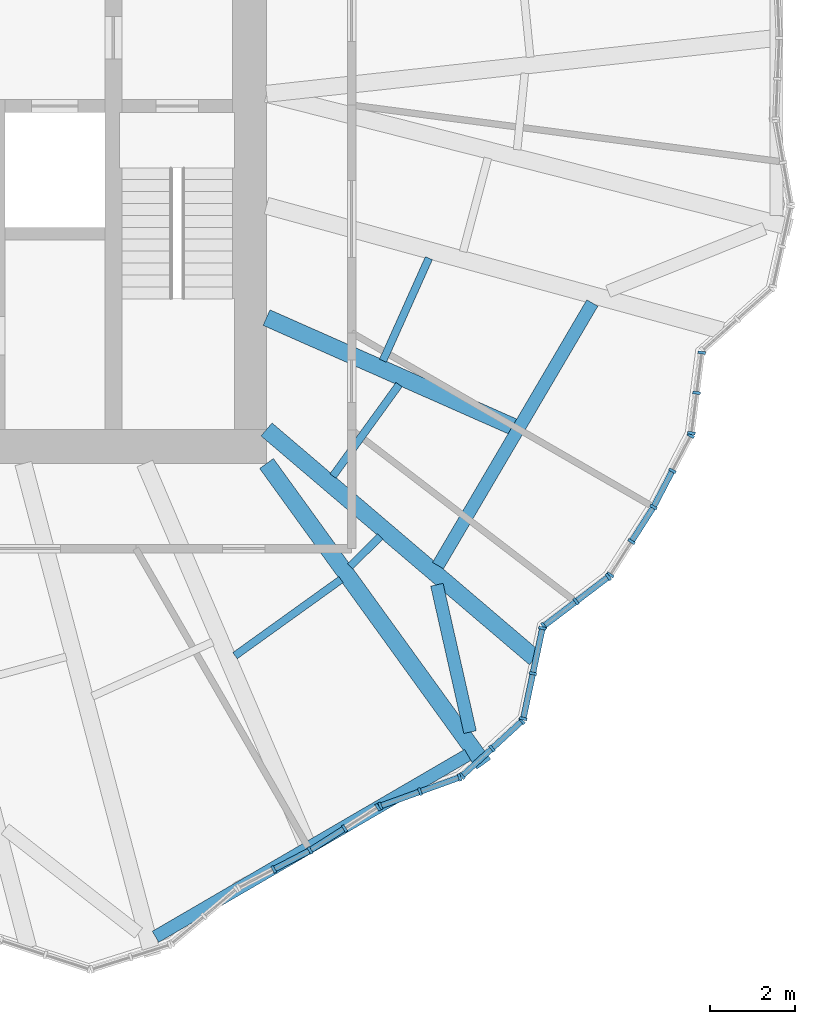
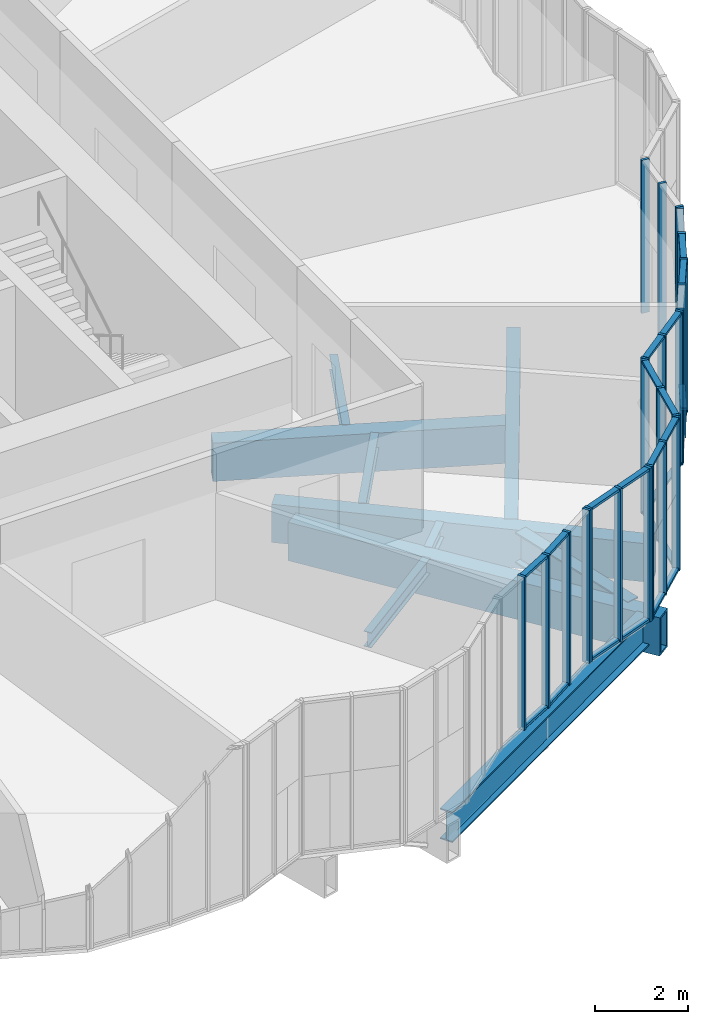
# One storey, part 5 of 23: 48 members, 10 beams, 9 elements without a shape of their own.
"""IFC4 building model written with IfcOpenShell, lengths in metres."""

from ifc_helpers import new_model, si_unit, direction, frame, origin, origin_2d, place, context, subcontext, project, spatial, rectangle, hollow_rectangle, i_section, extrude, material, material_profile, profile_set, type_object, element, aggregate, save


model = new_model("IFC4")

# Units and contexts
model_context = context("Model", 3, precision=1e-05, world=origin(), true_north=direction((0.0, 1.0)))
body_context = subcontext(model_context, "Body", "Model", "MODEL_VIEW")
ifc_project = project(units=[si_unit("LENGTHUNIT", "METRE"), si_unit("AREAUNIT", "SQUARE_METRE"), si_unit("VOLUMEUNIT", "CUBIC_METRE"), si_unit("PLANEANGLEUNIT", "RADIAN"), si_unit("MASSUNIT", "GRAM", prefix="KILO")], contexts=[model_context])

# Site, building, storey
site_placement = place(None, origin())
site = spatial("IfcSite", under=ifc_project, at=site_placement, CompositionType="ELEMENT")
building_placement = place(site_placement, origin())
building = spatial("IfcBuilding", under=site, at=building_placement, Name="Golbaran Civic Tower", CompositionType="ELEMENT")
storey_placement = place(building_placement, frame((0.0, 0.0, 33.0)))
storey = spatial("IfcBuildingStorey", under=building, at=storey_placement, Name="L07", CompositionType="ELEMENT", Elevation=33.0)

# Beams
ifc_material_1 = material(Name="Steel S355", Category="steel")
ifc_material_profile_1 = material_profile(ifc_material_1, i_section(OverallWidth=0.300048828125, OverallDepth=0.800048828125, WebThickness=0.017578125, FlangeThickness=0.032958984375, FilletRadius=0.030029296875, at=origin_2d()), Name="HEB 800")
ifc_profile_set_1 = profile_set([ifc_material_profile_1], Name="Steel S355")
beam_type_1 = type_object("IfcBeamType", Name="EDGE BEAM HEB 800", PredefinedType="BEAM", material=ifc_profile_set_1)
beam_1_placement = place(storey_placement, frame((7.3916015625, -21.119873046875, -0.60009765625), z_axis=(0.864129155703, 0.503270108653, 0.0), x_axis=(-0.503270108653, 0.864129155703, 0.0)))
element("IfcBeam", 1, at=beam_1_placement, inside=storey, type_object=beam_type_1, Name="Edge beam 288.64 L07", PredefinedType="BEAM", context=body_context, shape_type="SweptSolid", body=[
    extrude(i_section(OverallWidth=0.300048828125, OverallDepth=0.800048828125, WebThickness=0.017578125, FlangeThickness=0.032958984375, FilletRadius=0.030029296875, at=origin_2d()), origin(), (0.0, 0.0, 1.0), 8.489501953125),
])
beam_2_placement = place(storey_placement, frame((14.783203125, -16.31005859375, -0.60009765625), z_axis=(-0.219887083462, 0.975525330541, 0.0), x_axis=(-0.975525330541, -0.219887083462, 0.0)))
element("IfcBeam", 2, at=beam_2_placement, inside=storey, type_object=beam_type_1, Name="Edge beam 311.36 L07", PredefinedType="BEAM", context=body_context, shape_type="SweptSolid", body=[
    extrude(i_section(OverallWidth=0.300048828125, OverallDepth=0.800048828125, WebThickness=0.017578125, FlangeThickness=0.032958984375, FilletRadius=0.030029296875, at=origin_2d()), origin(), (0.0, 0.0, 1.0), 3.548583984375),
])
beam_3_placement = place(storey_placement, frame((14.029541015625, -12.398193359375, -0.60009765625), z_axis=(0.506678694853, 0.862134966338, 0.0), x_axis=(-0.862134966338, 0.506678694853, 0.0)))
element("IfcBeam", 3, at=beam_3_placement, inside=storey, type_object=beam_type_1, Name="Edge beam 318.26 L07", PredefinedType="BEAM", context=body_context, shape_type="SweptSolid", body=[
    extrude(i_section(OverallWidth=0.300048828125, OverallDepth=0.800048828125, WebThickness=0.017578125, FlangeThickness=0.032958984375, FilletRadius=0.030029296875, at=origin_2d()), origin(), (0.0, 0.0, 1.0), 7.15673828125),
])
ifc_material_profile_2 = material_profile(ifc_material_1, i_section(OverallWidth=0.179931640625, OverallDepth=0.39990234375, WebThickness=0.008544921875, FlangeThickness=0.013427734375, FilletRadius=0.02099609375, at=origin_2d()), Name="IPE 400")
ifc_profile_set_2 = profile_set([ifc_material_profile_2], Name="Steel S355")
beam_type_2 = type_object("IfcBeamType", Name="FLOOR INFILL BEAM IPE 400", PredefinedType="BEAM", material=ifc_profile_set_2)
beam_4_placement = place(storey_placement, frame((9.260009765625, -14.514404296875, -0.39990234375), z_axis=(0.812266627807, 0.583286315073, 0.0), x_axis=(-0.583286315073, 0.812266627807, 0.0)))
element("IfcBeam", 4, at=beam_4_placement, inside=storey, type_object=beam_type_2, Name="Infill beam 305.68 L07", PredefinedType="BEAM", context=body_context, shape_type="SweptSolid", body=[
    extrude(i_section(OverallWidth=0.179931640625, OverallDepth=0.39990234375, WebThickness=0.008544921875, FlangeThickness=0.013427734375, FilletRadius=0.02099609375, at=origin_2d()), origin(), (0.0, 0.0, 1.0), 3.064208984375),
])
beam_5_placement = place(storey_placement, frame((11.966796875, -12.413818359375, -0.39990234375), z_axis=(0.70943741161, 0.704768443539, 0.0), x_axis=(-0.704768443539, 0.70943741161, 0.0)))
element("IfcBeam", 5, at=beam_5_placement, inside=storey, type_object=beam_type_2, Name="Infill beam 314.81 L07", PredefinedType="BEAM", context=body_context, shape_type="SweptSolid", body=[
    extrude(i_section(OverallWidth=0.179931640625, OverallDepth=0.39990234375, WebThickness=0.008544921875, FlangeThickness=0.013427734375, FilletRadius=0.02099609375, at=origin_2d()), origin(), (0.0, 0.0, 1.0), 0.993408203125),
])
beam_6_placement = place(storey_placement, frame((11.56103515625, -10.294189453125, -0.39990234375), z_axis=(0.585967975109, 0.810334210155, 0.0), x_axis=(-0.810334210155, 0.585967975109, 0.0)))
element("IfcBeam", 6, at=beam_6_placement, inside=storey, type_object=beam_type_2, Name="Infill beam 324.13 L07", PredefinedType="BEAM", context=body_context, shape_type="SweptSolid", body=[
    extrude(i_section(OverallWidth=0.179931640625, OverallDepth=0.39990234375, WebThickness=0.008544921875, FlangeThickness=0.013427734375, FilletRadius=0.02099609375, at=origin_2d()), origin(), (0.0, 0.0, 1.0), 2.650634765625),
])
beam_7_placement = place(storey_placement, frame((12.7353515625, -7.5849609375, -0.39990234375), z_axis=(0.408830249642, 0.912610446454, 0.0), x_axis=(-0.912610446454, 0.408830249642, 0.0)))
element("IfcBeam", 7, at=beam_7_placement, inside=storey, type_object=beam_type_2, Name="Infill beam 335.87 L07", PredefinedType="BEAM", context=body_context, shape_type="SweptSolid", body=[
    extrude(i_section(OverallWidth=0.179931640625, OverallDepth=0.39990234375, WebThickness=0.008544921875, FlangeThickness=0.013427734375, FilletRadius=0.02099609375, at=origin_2d()), origin(), (0.0, 0.0, 1.0), 2.640625),
])

# Curtain wall, members
ifc_material_2 = material(Name="Aluminium and glass", Category="aluminium")
curtain_wall_type = type_object("IfcCurtainWallType", Name="INNER SKIN CURTAIN WALL", PredefinedType="NOTDEFINED", material=ifc_material_2)
curtain_wall_1_placement = place(storey_placement, origin())
curtain_wall_1 = element("IfcCurtainWall", 8, at=curtain_wall_1_placement, inside=storey, type_object=curtain_wall_type, Name="Inner skin L07 facet 60 CW1", ObjectType="INNER SKIN", PredefinedType="USERDEFINED")
ifc_material_3 = material(Name="Aluminium", Category="aluminium")
ifc_material_profile_3 = material_profile(ifc_material_3, rectangle(XDim=0.179931640625, YDim=0.06494140625, at=origin_2d()), Name="INNER SKIN CURTAIN WALL MULLION")
ifc_profile_set_3 = profile_set([ifc_material_profile_3], Name="Aluminium")
member_type_1 = type_object("IfcMemberType", Name="INNER SKIN CURTAIN WALL MULLION", PredefinedType="MULLION", material=ifc_profile_set_3)
member_1_placement = place(storey_placement, frame((10.169677734375, -19.53564453125, 0.0), z_axis=(0.0, 0.0, 1.0), x_axis=(-0.461748613297, 0.887010833146, 0.0)))
member_1 = element("IfcMember", 9, at=member_1_placement, type_object=member_type_1, Name="CW1 mullion 2", PredefinedType="MULLION", context=body_context, shape_type="SweptSolid", body=[
    extrude(rectangle(XDim=0.179931640625, YDim=0.06494140625, at=origin_2d()), origin(), (0.0, 0.0, 1.0), 4.0),
])
member_2_placement = place(storey_placement, frame((11.0224609375, -19.091552734375, 0.0), z_axis=(0.0, 0.0, 1.0), x_axis=(-0.499999999955, 0.866025403811, 0.0)))
member_2 = element("IfcMember", 10, at=member_2_placement, type_object=member_type_1, Name="CW1 mullion 3", PredefinedType="MULLION", context=body_context, shape_type="SweptSolid", body=[
    extrude(rectangle(XDim=0.179931640625, YDim=0.06494140625, at=origin_2d()), origin(), (0.0, 0.0, 1.0), 4.0),
])

curtain_wall_2_placement = place(storey_placement, origin())
curtain_wall_2 = element("IfcCurtainWall", 11, at=curtain_wall_2_placement, inside=storey, type_object=curtain_wall_type, Name="Inner skin L07 facet 61 CW1", ObjectType="INNER SKIN", PredefinedType="USERDEFINED")
member_3_placement = place(storey_placement, frame((11.83349609375, -18.574951171875, 0.0), z_axis=(0.0, 0.0, 1.0), x_axis=(-0.537299608406, 0.843391445775, 0.0)))
member_3 = element("IfcMember", 12, at=member_3_placement, type_object=member_type_1, Name="CW1 mullion 2", PredefinedType="MULLION", context=body_context, shape_type="SweptSolid", body=[
    extrude(rectangle(XDim=0.179931640625, YDim=0.06494140625, at=origin_2d()), origin(), (0.0, 0.0, 1.0), 4.0),
])
member_4_placement = place(storey_placement, frame((12.6171875, -18.07568359375, 0.0), z_axis=(0.0, 0.0, 1.0), x_axis=(-0.537299608406, 0.843391445775, 0.0)))
member_4 = element("IfcMember", 13, at=member_4_placement, type_object=member_type_1, Name="CW1 mullion 3", PredefinedType="MULLION", context=body_context, shape_type="SweptSolid", body=[
    extrude(rectangle(XDim=0.179931640625, YDim=0.06494140625, at=origin_2d()), origin(), (0.0, 0.0, 1.0), 4.0),
])

curtain_wall_3_placement = place(storey_placement, origin())
curtain_wall_3 = element("IfcCurtainWall", 14, at=curtain_wall_3_placement, inside=storey, type_object=curtain_wall_type, Name="Inner skin L07 facet 62 CW1", ObjectType="INNER SKIN", PredefinedType="USERDEFINED")
member_5_placement = place(storey_placement, frame((12.675048828125, -18.047119140625, 0.0), z_axis=(0.0, 0.0, 1.0), x_axis=(-0.340045420228, 0.940409013239, 0.0)))
member_5 = element("IfcMember", 15, at=member_5_placement, type_object=member_type_1, Name="CW1 mullion 1", PredefinedType="MULLION", context=body_context, shape_type="SweptSolid", body=[
    extrude(rectangle(XDim=0.179931640625, YDim=0.06494140625, at=origin_2d()), origin(), (0.0, 0.0, 1.0), 4.0),
])
member_6_placement = place(storey_placement, frame((13.606689453125, -17.710205078125, 0.0), z_axis=(0.0, 0.0, 1.0), x_axis=(-0.340045420228, 0.940409013239, 0.0)))
member_6 = element("IfcMember", 16, at=member_6_placement, type_object=member_type_1, Name="CW1 mullion 2", PredefinedType="MULLION", context=body_context, shape_type="SweptSolid", body=[
    extrude(rectangle(XDim=0.179931640625, YDim=0.06494140625, at=origin_2d()), origin(), (0.0, 0.0, 1.0), 4.0),
])
member_7_placement = place(storey_placement, frame((14.538330078125, -17.37353515625, 0.0), z_axis=(0.0, 0.0, 1.0), x_axis=(-0.340045420228, 0.940409013239, 0.0)))
member_7 = element("IfcMember", 17, at=member_7_placement, type_object=member_type_1, Name="CW1 mullion 3", PredefinedType="MULLION", context=body_context, shape_type="SweptSolid", body=[
    extrude(rectangle(XDim=0.179931640625, YDim=0.06494140625, at=origin_2d()), origin(), (0.0, 0.0, 1.0), 4.0),
])

curtain_wall_4_placement = place(storey_placement, origin())
curtain_wall_4 = element("IfcCurtainWall", 18, at=curtain_wall_4_placement, inside=storey, type_object=curtain_wall_type, Name="Inner skin L07 facet 63 CW1", ObjectType="INNER SKIN", PredefinedType="USERDEFINED")
member_8_placement = place(storey_placement, frame((14.5927734375, -17.34033203125, 0.0), z_axis=(0.0, 0.0, 1.0), x_axis=(-0.675590207436, 0.737277336975, 0.0)))
member_8 = element("IfcMember", 19, at=member_8_placement, type_object=member_type_1, Name="CW1 mullion 1", PredefinedType="MULLION", context=body_context, shape_type="SweptSolid", body=[
    extrude(rectangle(XDim=0.179931640625, YDim=0.06494140625, at=origin_2d()), origin(), (0.0, 0.0, 1.0), 4.0),
])
member_9_placement = place(storey_placement, frame((15.297607421875, -16.694580078125, 0.0), z_axis=(0.0, 0.0, 1.0), x_axis=(-0.675590207436, 0.737277336975, 0.0)))
member_9 = element("IfcMember", 20, at=member_9_placement, type_object=member_type_1, Name="CW1 mullion 2", PredefinedType="MULLION", context=body_context, shape_type="SweptSolid", body=[
    extrude(rectangle(XDim=0.179931640625, YDim=0.06494140625, at=origin_2d()), origin(), (0.0, 0.0, 1.0), 4.0),
])
member_10_placement = place(storey_placement, frame((16.002685546875, -16.048583984375, 0.0), z_axis=(0.0, 0.0, 1.0), x_axis=(-0.675590207436, 0.737277336975, 0.0)))
member_10 = element("IfcMember", 21, at=member_10_placement, type_object=member_type_1, Name="CW1 mullion 3", PredefinedType="MULLION", context=body_context, shape_type="SweptSolid", body=[
    extrude(rectangle(XDim=0.179931640625, YDim=0.06494140625, at=origin_2d()), origin(), (0.0, 0.0, 1.0), 4.0),
])

curtain_wall_5_placement = place(storey_placement, origin())
curtain_wall_5 = element("IfcCurtainWall", 22, at=curtain_wall_5_placement, inside=storey, type_object=curtain_wall_type, Name="Inner skin L07 facet 64 CW1", ObjectType="INNER SKIN", PredefinedType="USERDEFINED")
member_11_placement = place(storey_placement, frame((16.033203125, -15.994873046875, 0.0), z_axis=(0.0, 0.0, 1.0), x_axis=(-0.978345790501, 0.206977086194, 0.0)))
member_11 = element("IfcMember", 23, at=member_11_placement, type_object=member_type_1, Name="CW1 mullion 1", PredefinedType="MULLION", context=body_context, shape_type="SweptSolid", body=[
    extrude(rectangle(XDim=0.179931640625, YDim=0.06494140625, at=origin_2d()), origin(), (0.0, 0.0, 1.0), 4.0),
])
member_12_placement = place(storey_placement, frame((16.25830078125, -14.931640625, 0.0), z_axis=(0.0, 0.0, 1.0), x_axis=(-0.978345790501, 0.206977086194, 0.0)))
member_12 = element("IfcMember", 24, at=member_12_placement, type_object=member_type_1, Name="CW1 mullion 2", PredefinedType="MULLION", context=body_context, shape_type="SweptSolid", body=[
    extrude(rectangle(XDim=0.179931640625, YDim=0.06494140625, at=origin_2d()), origin(), (0.0, 0.0, 1.0), 4.0),
])
member_13_placement = place(storey_placement, frame((16.483154296875, -13.868408203125, 0.0), z_axis=(0.0, 0.0, 1.0), x_axis=(-0.978345790501, 0.206977086194, 0.0)))
member_13 = element("IfcMember", 25, at=member_13_placement, type_object=member_type_1, Name="CW1 mullion 3", PredefinedType="MULLION", context=body_context, shape_type="SweptSolid", body=[
    extrude(rectangle(XDim=0.179931640625, YDim=0.06494140625, at=origin_2d()), origin(), (0.0, 0.0, 1.0), 4.0),
])

curtain_wall_6_placement = place(storey_placement, origin())
curtain_wall_6 = element("IfcCurtainWall", 26, at=curtain_wall_6_placement, inside=storey, type_object=curtain_wall_type, Name="Inner skin L07 facet 65 CW1", ObjectType="INNER SKIN", PredefinedType="USERDEFINED")
member_14_placement = place(storey_placement, frame((16.515625, -13.81689453125, 0.0), z_axis=(0.0, 0.0, 1.0), x_axis=(-0.605153926324, 0.796108488496, 0.0)))
member_14 = element("IfcMember", 27, at=member_14_placement, type_object=member_type_1, Name="CW1 mullion 1", PredefinedType="MULLION", context=body_context, shape_type="SweptSolid", body=[
    extrude(rectangle(XDim=0.179931640625, YDim=0.06494140625, at=origin_2d()), origin(), (0.0, 0.0, 1.0), 4.0),
])
member_15_placement = place(storey_placement, frame((17.27392578125, -13.240478515625, 0.0), z_axis=(0.0, 0.0, 1.0), x_axis=(-0.605153926324, 0.796108488496, 0.0)))
member_15 = element("IfcMember", 28, at=member_15_placement, type_object=member_type_1, Name="CW1 mullion 2", PredefinedType="MULLION", context=body_context, shape_type="SweptSolid", body=[
    extrude(rectangle(XDim=0.179931640625, YDim=0.06494140625, at=origin_2d()), origin(), (0.0, 0.0, 1.0), 4.0),
])
member_16_placement = place(storey_placement, frame((18.0322265625, -12.6640625, 0.0), z_axis=(0.0, 0.0, 1.0), x_axis=(-0.605153926324, 0.796108488496, 0.0)))
member_16 = element("IfcMember", 29, at=member_16_placement, type_object=member_type_1, Name="CW1 mullion 3", PredefinedType="MULLION", context=body_context, shape_type="SweptSolid", body=[
    extrude(rectangle(XDim=0.179931640625, YDim=0.06494140625, at=origin_2d()), origin(), (0.0, 0.0, 1.0), 4.0),
])

curtain_wall_7_placement = place(storey_placement, origin())
curtain_wall_7 = element("IfcCurtainWall", 30, at=curtain_wall_7_placement, inside=storey, type_object=curtain_wall_type, Name="Inner skin L07 facet 66 CW1", ObjectType="INNER SKIN", PredefinedType="USERDEFINED")
member_17_placement = place(storey_placement, frame((18.07568359375, -12.6171875, 0.0), z_axis=(0.0, 0.0, 1.0), x_axis=(-0.843391445775, 0.537299608406, 0.0)))
member_17 = element("IfcMember", 31, at=member_17_placement, type_object=member_type_1, Name="CW1 mullion 1", PredefinedType="MULLION", context=body_context, shape_type="SweptSolid", body=[
    extrude(rectangle(XDim=0.179931640625, YDim=0.06494140625, at=origin_2d()), origin(), (0.0, 0.0, 1.0), 4.0),
])
member_18_placement = place(storey_placement, frame((18.574951171875, -11.83349609375, 0.0), z_axis=(0.0, 0.0, 1.0), x_axis=(-0.843391445775, 0.537299608406, 0.0)))
member_18 = element("IfcMember", 32, at=member_18_placement, type_object=member_type_1, Name="CW1 mullion 2", PredefinedType="MULLION", context=body_context, shape_type="SweptSolid", body=[
    extrude(rectangle(XDim=0.179931640625, YDim=0.06494140625, at=origin_2d()), origin(), (0.0, 0.0, 1.0), 4.0),
])
member_19_placement = place(storey_placement, frame((19.091552734375, -11.0224609375, 0.0), z_axis=(0.0, 0.0, 1.0), x_axis=(-0.866025403715, 0.500000000121, 0.0)))
member_19 = element("IfcMember", 33, at=member_19_placement, type_object=member_type_1, Name="CW1 mullion 3", PredefinedType="MULLION", context=body_context, shape_type="SweptSolid", body=[
    extrude(rectangle(XDim=0.179931640625, YDim=0.06494140625, at=origin_2d()), origin(), (0.0, 0.0, 1.0), 4.0),
])

curtain_wall_8_placement = place(storey_placement, origin())
curtain_wall_8 = element("IfcCurtainWall", 34, at=curtain_wall_8_placement, inside=storey, type_object=curtain_wall_type, Name="Inner skin L07 facet 67 CW1", ObjectType="INNER SKIN", PredefinedType="USERDEFINED")
member_20_placement = place(storey_placement, frame((19.53564453125, -10.169677734375, 0.0), z_axis=(0.0, 0.0, 1.0), x_axis=(-0.887010833146, 0.461748613297, 0.0)))
member_20 = element("IfcMember", 35, at=member_20_placement, type_object=member_type_1, Name="CW1 mullion 2", PredefinedType="MULLION", context=body_context, shape_type="SweptSolid", body=[
    extrude(rectangle(XDim=0.179931640625, YDim=0.06494140625, at=origin_2d()), origin(), (0.0, 0.0, 1.0), 4.0),
])
member_21_placement = place(storey_placement, frame((19.964599609375, -9.345458984375, 0.0), z_axis=(0.0, 0.0, 1.0), x_axis=(-0.887010833146, 0.461748613297, 0.0)))
member_21 = element("IfcMember", 36, at=member_21_placement, type_object=member_type_1, Name="CW1 mullion 3", PredefinedType="MULLION", context=body_context, shape_type="SweptSolid", body=[
    extrude(rectangle(XDim=0.179931640625, YDim=0.06494140625, at=origin_2d()), origin(), (0.0, 0.0, 1.0), 4.0),
])

curtain_wall_9_placement = place(storey_placement, origin())
curtain_wall_9 = element("IfcCurtainWall", 37, at=curtain_wall_9_placement, inside=storey, type_object=curtain_wall_type, Name="Inner skin L07 facet 68 CW1", ObjectType="INNER SKIN", PredefinedType="USERDEFINED")
member_22_placement = place(storey_placement, frame((19.983642578125, -9.284423828125, 0.0), z_axis=(0.0, 0.0, 1.0), x_axis=(-0.992027138401, 0.126024428889, 0.0)))
member_22 = element("IfcMember", 38, at=member_22_placement, type_object=member_type_1, Name="CW1 mullion 1", PredefinedType="MULLION", context=body_context, shape_type="SweptSolid", body=[
    extrude(rectangle(XDim=0.179931640625, YDim=0.06494140625, at=origin_2d()), origin(), (0.0, 0.0, 1.0), 4.0),
])
member_23_placement = place(storey_placement, frame((20.103759765625, -8.33935546875, 0.0), z_axis=(0.0, 0.0, 1.0), x_axis=(-0.992027138401, 0.126024428889, 0.0)))
member_23 = element("IfcMember", 39, at=member_23_placement, type_object=member_type_1, Name="CW1 mullion 2", PredefinedType="MULLION", context=body_context, shape_type="SweptSolid", body=[
    extrude(rectangle(XDim=0.179931640625, YDim=0.06494140625, at=origin_2d()), origin(), (0.0, 0.0, 1.0), 4.0),
])
member_24_placement = place(storey_placement, frame((20.2236328125, -7.39453125, 0.0), z_axis=(0.0, 0.0, 1.0), x_axis=(-0.992027138401, 0.126024428889, 0.0)))
member_24 = element("IfcMember", 40, at=member_24_placement, type_object=member_type_1, Name="CW1 mullion 3", PredefinedType="MULLION", context=body_context, shape_type="SweptSolid", body=[
    extrude(rectangle(XDim=0.179931640625, YDim=0.06494140625, at=origin_2d()), origin(), (0.0, 0.0, 1.0), 4.0),
])
aggregate(curtain_wall_9, [member_22, member_23, member_24])

# Member
ifc_material_profile_4 = material_profile(ifc_material_3, rectangle(XDim=0.139892578125, YDim=0.06494140625, at=origin_2d()), Name="INNER SKIN CURTAIN WALL TRANSOM")
ifc_profile_set_4 = profile_set([ifc_material_profile_4], Name="Aluminium")
member_type_2 = type_object("IfcMemberType", Name="INNER SKIN CURTAIN WALL TRANSOM", PredefinedType="USERDEFINED", material=ifc_profile_set_4)
member_25_placement = place(storey_placement, frame((10.198486328125, -19.5205078125, 0.032470703125), z_axis=(0.886953595077, 0.461858549969, 0.0), x_axis=(-0.461858549969, 0.886953595077, 0.0)))
member_25 = element("IfcMember", 41, at=member_25_placement, type_object=member_type_2, Name="CW1 transom 2.1", ObjectType="TRANSOM", PredefinedType="USERDEFINED", context=body_context, shape_type="SweptSolid", body=[
    extrude(rectangle(XDim=0.139892578125, YDim=0.06494140625, at=origin_2d()), origin(), (0.0, 0.0, 1.0), 0.896484375),
])

member_26_placement = place(storey_placement, frame((10.198486328125, -19.5205078125, 3.967529296875), z_axis=(0.886953595077, 0.461858549969, 0.0), x_axis=(-0.461858549969, 0.886953595077, 0.0)))
member_26 = element("IfcMember", 42, at=member_26_placement, type_object=member_type_2, Name="CW1 transom 2.2", ObjectType="TRANSOM", PredefinedType="USERDEFINED", context=body_context, shape_type="SweptSolid", body=[
    extrude(rectangle(XDim=0.139892578125, YDim=0.06494140625, at=origin_2d()), origin(), (0.0, 0.0, 1.0), 0.896484375),
])

aggregate(curtain_wall_1, [member_1, member_2, member_25, member_26])

member_27_placement = place(storey_placement, frame((11.0498046875, -19.073974609375, 0.032470703125), z_axis=(0.843470850457, 0.537174947693, 0.0), x_axis=(-0.537174947693, 0.843470850457, 0.0)))
member_27 = element("IfcMember", 43, at=member_27_placement, type_object=member_type_2, Name="CW1 transom 1.1", ObjectType="TRANSOM", PredefinedType="USERDEFINED", context=body_context, shape_type="SweptSolid", body=[
    extrude(rectangle(XDim=0.139892578125, YDim=0.06494140625, at=origin_2d()), origin(), (0.0, 0.0, 1.0), 0.896728515625),
])

member_28_placement = place(storey_placement, frame((11.0498046875, -19.073974609375, 3.967529296875), z_axis=(0.843470850457, 0.537174947693, 0.0), x_axis=(-0.537174947693, 0.843470850457, 0.0)))
member_28 = element("IfcMember", 44, at=member_28_placement, type_object=member_type_2, Name="CW1 transom 1.2", ObjectType="TRANSOM", PredefinedType="USERDEFINED", context=body_context, shape_type="SweptSolid", body=[
    extrude(rectangle(XDim=0.139892578125, YDim=0.06494140625, at=origin_2d()), origin(), (0.0, 0.0, 1.0), 0.896728515625),
])

aggregate(curtain_wall_2, [member_3, member_4, member_27, member_28])

member_29_placement = place(storey_placement, frame((12.70556640625, -18.0361328125, 0.032470703125), z_axis=(0.940446201918, 0.339942555881, 0.0), x_axis=(-0.339942555881, 0.940446201918, 0.0)))
member_29 = element("IfcMember", 45, at=member_29_placement, type_object=member_type_2, Name="CW1 transom 1.1", ObjectType="TRANSOM", PredefinedType="USERDEFINED", context=body_context, shape_type="SweptSolid", body=[
    extrude(rectangle(XDim=0.139892578125, YDim=0.06494140625, at=origin_2d()), origin(), (0.0, 0.0, 1.0), 0.92578125),
])

member_30_placement = place(storey_placement, frame((12.70556640625, -18.0361328125, 3.967529296875), z_axis=(0.940446201918, 0.339942555881, 0.0), x_axis=(-0.339942555881, 0.940446201918, 0.0)))
member_30 = element("IfcMember", 46, at=member_30_placement, type_object=member_type_2, Name="CW1 transom 1.2", ObjectType="TRANSOM", PredefinedType="USERDEFINED", context=body_context, shape_type="SweptSolid", body=[
    extrude(rectangle(XDim=0.139892578125, YDim=0.06494140625, at=origin_2d()), origin(), (0.0, 0.0, 1.0), 0.92578125),
])

member_31_placement = place(storey_placement, frame((13.63720703125, -17.69921875, 0.032470703125), z_axis=(0.940415714174, 0.340026887958, 0.0), x_axis=(-0.340026887958, 0.940415714174, 0.0)))
member_31 = element("IfcMember", 47, at=member_31_placement, type_object=member_type_2, Name="CW1 transom 2.1", ObjectType="TRANSOM", PredefinedType="USERDEFINED", context=body_context, shape_type="SweptSolid", body=[
    extrude(rectangle(XDim=0.139892578125, YDim=0.06494140625, at=origin_2d()), origin(), (0.0, 0.0, 1.0), 0.925537109375),
])

member_32_placement = place(storey_placement, frame((13.63720703125, -17.69921875, 3.967529296875), z_axis=(0.940415714174, 0.340026887958, 0.0), x_axis=(-0.340026887958, 0.940415714174, 0.0)))
member_32 = element("IfcMember", 48, at=member_32_placement, type_object=member_type_2, Name="CW1 transom 2.2", ObjectType="TRANSOM", PredefinedType="USERDEFINED", context=body_context, shape_type="SweptSolid", body=[
    extrude(rectangle(XDim=0.139892578125, YDim=0.06494140625, at=origin_2d()), origin(), (0.0, 0.0, 1.0), 0.925537109375),
])

aggregate(curtain_wall_3, [member_5, member_6, member_7, member_29, member_30, member_31, member_32])

member_33_placement = place(storey_placement, frame((14.61669921875, -17.318603515625, 0.032470703125), z_axis=(0.737256483247, 0.675612964581, 0.0), x_axis=(-0.675612964581, 0.737256483247, 0.0)))
member_33 = element("IfcMember", 49, at=member_33_placement, type_object=member_type_2, Name="CW1 transom 1.1", ObjectType="TRANSOM", PredefinedType="USERDEFINED", context=body_context, shape_type="SweptSolid", body=[
    extrude(rectangle(XDim=0.139892578125, YDim=0.06494140625, at=origin_2d()), origin(), (0.0, 0.0, 1.0), 0.89111328125),
])

member_34_placement = place(storey_placement, frame((14.61669921875, -17.318603515625, 3.967529296875), z_axis=(0.737256483247, 0.675612964581, 0.0), x_axis=(-0.675612964581, 0.737256483247, 0.0)))
member_34 = element("IfcMember", 50, at=member_34_placement, type_object=member_type_2, Name="CW1 transom 1.2", ObjectType="TRANSOM", PredefinedType="USERDEFINED", context=body_context, shape_type="SweptSolid", body=[
    extrude(rectangle(XDim=0.139892578125, YDim=0.06494140625, at=origin_2d()), origin(), (0.0, 0.0, 1.0), 0.89111328125),
])

member_35_placement = place(storey_placement, frame((15.321533203125, -16.672607421875, 0.032470703125), z_axis=(0.737381500306, 0.675476515511, 0.0), x_axis=(-0.675476515511, 0.737381500306, 0.0)))
member_35 = element("IfcMember", 51, at=member_35_placement, type_object=member_type_2, Name="CW1 transom 2.1", ObjectType="TRANSOM", PredefinedType="USERDEFINED", context=body_context, shape_type="SweptSolid", body=[
    extrude(rectangle(XDim=0.139892578125, YDim=0.06494140625, at=origin_2d()), origin(), (0.0, 0.0, 1.0), 0.891357421875),
])

member_36_placement = place(storey_placement, frame((15.321533203125, -16.672607421875, 3.967529296875), z_axis=(0.737381500306, 0.675476515511, 0.0), x_axis=(-0.675476515511, 0.737381500306, 0.0)))
member_36 = element("IfcMember", 52, at=member_36_placement, type_object=member_type_2, Name="CW1 transom 2.2", ObjectType="TRANSOM", PredefinedType="USERDEFINED", context=body_context, shape_type="SweptSolid", body=[
    extrude(rectangle(XDim=0.139892578125, YDim=0.06494140625, at=origin_2d()), origin(), (0.0, 0.0, 1.0), 0.891357421875),
])

aggregate(curtain_wall_4, [member_8, member_9, member_10, member_33, member_34, member_35, member_36])

member_37_placement = place(storey_placement, frame((16.0400390625, -15.962890625, 0.032470703125), z_axis=(0.206949793481, 0.978351564101, 0.0), x_axis=(-0.978351564101, 0.206949793481, 0.0)))
member_37 = element("IfcMember", 53, at=member_37_placement, type_object=member_type_2, Name="CW1 transom 1.1", ObjectType="TRANSOM", PredefinedType="USERDEFINED", context=body_context, shape_type="SweptSolid", body=[
    extrude(rectangle(XDim=0.139892578125, YDim=0.06494140625, at=origin_2d()), origin(), (0.0, 0.0, 1.0), 1.021728515625),
])

member_38_placement = place(storey_placement, frame((16.0400390625, -15.962890625, 3.967529296875), z_axis=(0.206949793481, 0.978351564101, 0.0), x_axis=(-0.978351564101, 0.206949793481, 0.0)))
member_38 = element("IfcMember", 54, at=member_38_placement, type_object=member_type_2, Name="CW1 transom 1.2", ObjectType="TRANSOM", PredefinedType="USERDEFINED", context=body_context, shape_type="SweptSolid", body=[
    extrude(rectangle(XDim=0.139892578125, YDim=0.06494140625, at=origin_2d()), origin(), (0.0, 0.0, 1.0), 1.021728515625),
])

member_39_placement = place(storey_placement, frame((16.264892578125, -14.89990234375, 0.032470703125), z_axis=(0.20690141995, 0.978361795259, 0.0), x_axis=(-0.978361795259, 0.20690141995, 0.0)))
member_39 = element("IfcMember", 55, at=member_39_placement, type_object=member_type_2, Name="CW1 transom 2.1", ObjectType="TRANSOM", PredefinedType="USERDEFINED", context=body_context, shape_type="SweptSolid", body=[
    extrude(rectangle(XDim=0.139892578125, YDim=0.06494140625, at=origin_2d()), origin(), (0.0, 0.0, 1.0), 1.02197265625),
])

member_40_placement = place(storey_placement, frame((16.264892578125, -14.89990234375, 3.967529296875), z_axis=(0.20690141995, 0.978361795259, 0.0), x_axis=(-0.978361795259, 0.20690141995, 0.0)))
member_40 = element("IfcMember", 56, at=member_40_placement, type_object=member_type_2, Name="CW1 transom 2.2", ObjectType="TRANSOM", PredefinedType="USERDEFINED", context=body_context, shape_type="SweptSolid", body=[
    extrude(rectangle(XDim=0.139892578125, YDim=0.06494140625, at=origin_2d()), origin(), (0.0, 0.0, 1.0), 1.02197265625),
])

aggregate(curtain_wall_5, [member_11, member_12, member_13, member_37, member_38, member_39, member_40])

member_41_placement = place(storey_placement, frame((16.54150390625, -13.79736328125, 0.032470703125), z_axis=(0.79608797731, 0.605180908805, 0.0), x_axis=(-0.605180908805, 0.79608797731, 0.0)))
member_41 = element("IfcMember", 57, at=member_41_placement, type_object=member_type_2, Name="CW1 transom 1.1", ObjectType="TRANSOM", PredefinedType="USERDEFINED", context=body_context, shape_type="SweptSolid", body=[
    extrude(rectangle(XDim=0.139892578125, YDim=0.06494140625, at=origin_2d()), origin(), (0.0, 0.0, 1.0), 0.887451171875),
])

member_42_placement = place(storey_placement, frame((16.54150390625, -13.79736328125, 3.967529296875), z_axis=(0.79608797731, 0.605180908805, 0.0), x_axis=(-0.605180908805, 0.79608797731, 0.0)))
member_42 = element("IfcMember", 58, at=member_42_placement, type_object=member_type_2, Name="CW1 transom 1.2", ObjectType="TRANSOM", PredefinedType="USERDEFINED", context=body_context, shape_type="SweptSolid", body=[
    extrude(rectangle(XDim=0.139892578125, YDim=0.06494140625, at=origin_2d()), origin(), (0.0, 0.0, 1.0), 0.887451171875),
])

member_43_placement = place(storey_placement, frame((17.2998046875, -13.220947265625, 0.032470703125), z_axis=(0.79608797731, 0.605180908805, 0.0), x_axis=(-0.605180908805, 0.79608797731, 0.0)))
member_43 = element("IfcMember", 59, at=member_43_placement, type_object=member_type_2, Name="CW1 transom 2.1", ObjectType="TRANSOM", PredefinedType="USERDEFINED", context=body_context, shape_type="SweptSolid", body=[
    extrude(rectangle(XDim=0.139892578125, YDim=0.06494140625, at=origin_2d()), origin(), (0.0, 0.0, 1.0), 0.887451171875),
])

member_44_placement = place(storey_placement, frame((17.2998046875, -13.220947265625, 3.967529296875), z_axis=(0.79608797731, 0.605180908805, 0.0), x_axis=(-0.605180908805, 0.79608797731, 0.0)))
member_44 = element("IfcMember", 60, at=member_44_placement, type_object=member_type_2, Name="CW1 transom 2.2", ObjectType="TRANSOM", PredefinedType="USERDEFINED", context=body_context, shape_type="SweptSolid", body=[
    extrude(rectangle(XDim=0.139892578125, YDim=0.06494140625, at=origin_2d()), origin(), (0.0, 0.0, 1.0), 0.887451171875),
])

aggregate(curtain_wall_6, [member_14, member_15, member_16, member_41, member_42, member_43, member_44])

member_45_placement = place(storey_placement, frame((18.59228515625, -11.80615234375, 0.032470703125), z_axis=(0.537174947693, 0.843470850457, 0.0), x_axis=(-0.843470850457, 0.537174947693, 0.0)))
member_45 = element("IfcMember", 61, at=member_45_placement, type_object=member_type_2, Name="CW1 transom 2.1", ObjectType="TRANSOM", PredefinedType="USERDEFINED", context=body_context, shape_type="SweptSolid", body=[
    extrude(rectangle(XDim=0.139892578125, YDim=0.06494140625, at=origin_2d()), origin(), (0.0, 0.0, 1.0), 0.896728515625),
])

member_46_placement = place(storey_placement, frame((18.59228515625, -11.80615234375, 3.967529296875), z_axis=(0.537174947693, 0.843470850457, 0.0), x_axis=(-0.843470850457, 0.537174947693, 0.0)))
member_46 = element("IfcMember", 62, at=member_46_placement, type_object=member_type_2, Name="CW1 transom 2.2", ObjectType="TRANSOM", PredefinedType="USERDEFINED", context=body_context, shape_type="SweptSolid", body=[
    extrude(rectangle(XDim=0.139892578125, YDim=0.06494140625, at=origin_2d()), origin(), (0.0, 0.0, 1.0), 0.896728515625),
])

aggregate(curtain_wall_7, [member_17, member_18, member_19, member_45, member_46])

member_47_placement = place(storey_placement, frame((19.1064453125, -10.99365234375, 0.032470703125), z_axis=(0.461858549969, 0.886953595077, 0.0), x_axis=(-0.886953595077, 0.461858549969, 0.0)))
member_47 = element("IfcMember", 63, at=member_47_placement, type_object=member_type_2, Name="CW1 transom 1.1", ObjectType="TRANSOM", PredefinedType="USERDEFINED", context=body_context, shape_type="SweptSolid", body=[
    extrude(rectangle(XDim=0.139892578125, YDim=0.06494140625, at=origin_2d()), origin(), (0.0, 0.0, 1.0), 0.896484375),
])

member_48_placement = place(storey_placement, frame((19.1064453125, -10.99365234375, 3.967529296875), z_axis=(0.461858549969, 0.886953595077, 0.0), x_axis=(-0.886953595077, 0.461858549969, 0.0)))
member_48 = element("IfcMember", 64, at=member_48_placement, type_object=member_type_2, Name="CW1 transom 1.2", ObjectType="TRANSOM", PredefinedType="USERDEFINED", context=body_context, shape_type="SweptSolid", body=[
    extrude(rectangle(XDim=0.139892578125, YDim=0.06494140625, at=origin_2d()), origin(), (0.0, 0.0, 1.0), 0.896484375),
])

aggregate(curtain_wall_8, [member_20, member_21, member_47, member_48])

# Beams
ifc_material_profile_5 = material_profile(ifc_material_1, hollow_rectangle(XDim=0.39990234375, YDim=1.0, WallThickness=0.050048828125, at=origin_2d()), Name="BOX 1000x400x50")
ifc_profile_set_5 = profile_set([ifc_material_profile_5], Name="Steel S355")
beam_type_3 = type_object("IfcBeamType", Name="RADIAL FLOOR BEAM BOX 1000x400x50", PredefinedType="BEAM", material=ifc_profile_set_5)
beam_8_placement = place(storey_placement, frame((10.0, -10.0, -0.7099609375), z_axis=(0.585812641951, -0.810446511826, 0.0), x_axis=(0.810446511826, 0.585812641951, 0.0)))
element("IfcBeam", 65, at=beam_8_placement, inside=storey, type_object=beam_type_3, Name="Radial beam 311.36 L07", PredefinedType="BEAM", context=body_context, shape_type="SweptSolid", body=[
    extrude(hollow_rectangle(XDim=0.39990234375, YDim=1.0, WallThickness=0.050048828125, at=origin_2d()), origin(), (0.0, 0.0, 1.0), 8.716552734375),
])
beam_9_placement = place(storey_placement, frame((10.0, -9.199951171875, -0.7099609375), z_axis=(0.761054184056, -0.648688314163, 0.0), x_axis=(0.648688314163, 0.761054184056, 0.0)))
element("IfcBeam", 66, at=beam_9_placement, inside=storey, type_object=beam_type_3, Name="Radial beam 318.26 L07", PredefinedType="BEAM", context=body_context, shape_type="SweptSolid", body=[
    extrude(hollow_rectangle(XDim=0.39990234375, YDim=1.0, WallThickness=0.050048828125, at=origin_2d()), origin(), (0.0, 0.0, 1.0), 8.2890625),
])
ifc_material_profile_6 = material_profile(ifc_material_1, hollow_rectangle(XDim=0.39990234375, YDim=1.0, WallThickness=0.0400390625, at=origin_2d()), Name="BOX 1000x400x40")
ifc_profile_set_6 = profile_set([ifc_material_profile_6], Name="Steel S355")
beam_type_4 = type_object("IfcBeamType", Name="SECONDARY FLOOR BEAM BOX 1000x400x40", PredefinedType="BEAM", material=ifc_profile_set_6)
beam_10_placement = place(storey_placement, frame((10.0, -6.571533203125, -0.7099609375), z_axis=(0.914487271555, -0.404614668744, 0.0), x_axis=(0.404614668744, 0.914487271555, 0.0)))
element("IfcBeam", 67, at=beam_10_placement, inside=storey, type_object=beam_type_4, Name="Secondary beam 330.00 L07", PredefinedType="BEAM", context=body_context, shape_type="SweptSolid", body=[
    extrude(hollow_rectangle(XDim=0.39990234375, YDim=1.0, WallThickness=0.0400390625, at=origin_2d()), origin(), (0.0, 0.0, 1.0), 6.468994140625),
])

save(model, "model.ifc")
